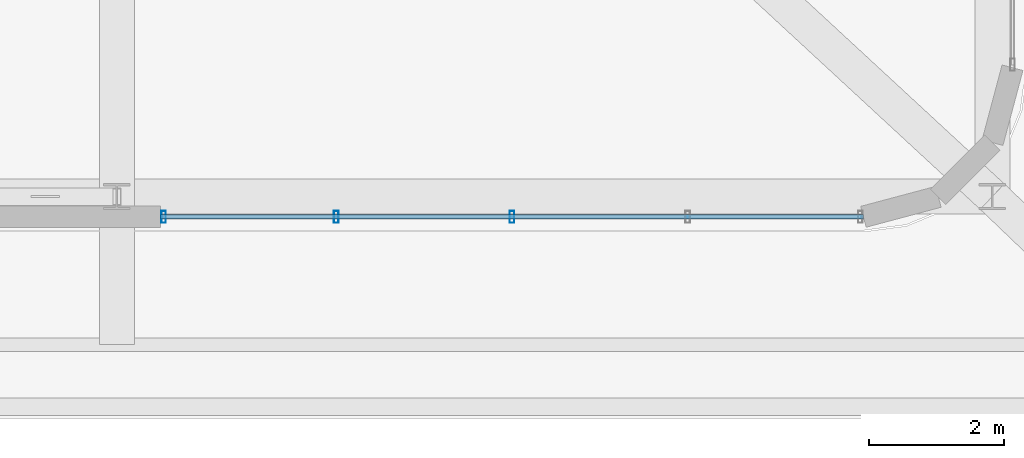
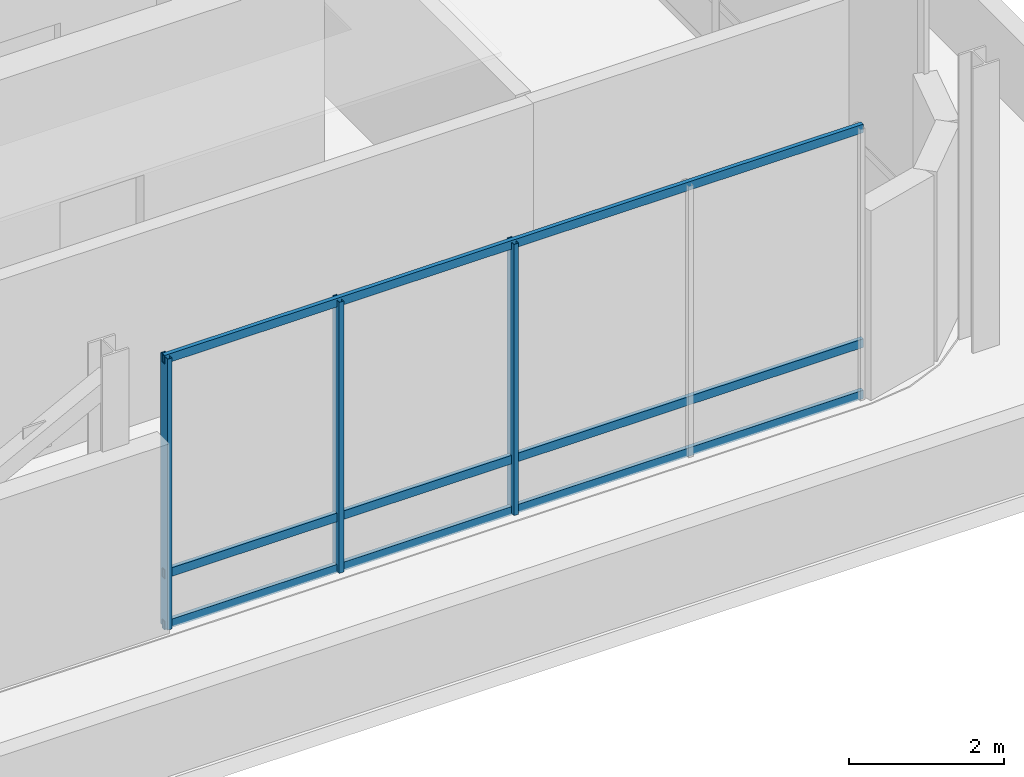
# One storey, part 5 of 28: 6 members, 1 element without a shape of its own.
"""IFC4 building model written with IfcOpenShell, lengths in metres."""

from ifc_helpers import new_model, si_unit, direction, frame, origin, origin_2d, place, context, subcontext, project, spatial, hollow_rectangle, extrude, material, material_profile, profile_set, type_object, element, aggregate, save


model = new_model("IFC4")

# Units and contexts
model_context = context("Model", 3, precision=1e-05, world=origin(), true_north=direction((0.0, 1.0)))
body_context = subcontext(model_context, "Body", "Model", "MODEL_VIEW")
ifc_project = project(units=[si_unit("LENGTHUNIT", "METRE"), si_unit("AREAUNIT", "SQUARE_METRE"), si_unit("VOLUMEUNIT", "CUBIC_METRE"), si_unit("PLANEANGLEUNIT", "RADIAN"), si_unit("MASSUNIT", "GRAM", prefix="KILO")], contexts=[model_context])

# Site, building, storey
site_placement = place(None, origin())
site = spatial("IfcSite", under=ifc_project, at=site_placement, CompositionType="ELEMENT")
building_placement = place(site_placement, origin())
building = spatial("IfcBuilding", under=site, at=building_placement, Name="Punatoya Terracotta Tower", CompositionType="ELEMENT")
storey_placement = place(building_placement, frame((0.0, 0.0, 352.800048828125)))
storey = spatial("IfcBuildingStorey", under=building, at=storey_placement, Name="L83", CompositionType="ELEMENT", Elevation=352.800048828125)

# Curtain wall, members
ifc_material_1 = material(Name="Aluminium 6063-T6 + Double Low-E Glass", Category="aluminium")
curtain_wall_type = type_object("IfcCurtainWallType", Name="CW-CRN", PredefinedType="NOTDEFINED", material=ifc_material_1)
curtain_wall_placement = place(storey_placement, origin())
curtain_wall = element("IfcCurtainWall", 1, at=curtain_wall_placement, inside=storey, type_object=curtain_wall_type, Name="L83 Curtain Wall CW-L83-S01-2", PredefinedType="NOTDEFINED")
ifc_material_2 = material(Name="Aluminium 6063-T6", Category="aluminium")
ifc_material_profile_1 = material_profile(ifc_material_2, hollow_rectangle(XDim=0.070068359375, YDim=0.179931640625, WallThickness=0.00390625, at=origin_2d()))
ifc_profile_set_1 = profile_set([ifc_material_profile_1], Name="Aluminium 6063-T6")
member_type_1 = type_object("IfcMemberType", Name="CW-MUL-M3", PredefinedType="MULLION", material=ifc_profile_set_1)
member_1_placement = place(storey_placement, frame((4.4951171875, -15.60009765625, 0.0), z_axis=(0.0, 0.0, 1.0), x_axis=(1.0, 0.0, 0.0)))
member_1 = element("IfcMember", 2, at=member_1_placement, type_object=member_type_1, Name="CW-L83-S01-2 Mullion 00", PredefinedType="MULLION", context=body_context, shape_type="SweptSolid", body=[
    extrude(hollow_rectangle(XDim=0.070068359375, YDim=0.179931640625, WallThickness=0.00390625, at=origin_2d()), origin(), (0.0, 0.0, 1.0), 4.280029296875),
])
member_2_placement = place(storey_placement, frame((7.05908203125, -15.60009765625, 0.0), z_axis=(0.0, 0.0, 1.0), x_axis=(1.0, 0.0, 0.0)))
member_2 = element("IfcMember", 3, at=member_2_placement, type_object=member_type_1, Name="CW-L83-S01-2 Mullion 01", PredefinedType="MULLION", context=body_context, shape_type="SweptSolid", body=[
    extrude(hollow_rectangle(XDim=0.070068359375, YDim=0.179931640625, WallThickness=0.00390625, at=origin_2d()), origin(), (0.0, 0.0, 1.0), 4.280029296875),
])
member_3_placement = place(storey_placement, frame((9.66845703125, -15.60009765625, 0.0), z_axis=(0.0, 0.0, 1.0), x_axis=(1.0, 0.0, 0.0)))
member_3 = element("IfcMember", 4, at=member_3_placement, type_object=member_type_1, Name="CW-L83-S01-2 Mullion 02", PredefinedType="MULLION", context=body_context, shape_type="SweptSolid", body=[
    extrude(hollow_rectangle(XDim=0.070068359375, YDim=0.179931640625, WallThickness=0.00390625, at=origin_2d()), origin(), (0.0, 0.0, 1.0), 4.280029296875),
])
ifc_material_profile_2 = material_profile(ifc_material_2, hollow_rectangle(XDim=0.06201171875, YDim=0.135009765625, WallThickness=0.00390625, at=origin_2d()))
ifc_profile_set_2 = profile_set([ifc_material_profile_2], Name="Aluminium 6063-T6")
member_type_2 = type_object("IfcMemberType", Name="CW-TRN-CRN", PredefinedType="USERDEFINED", material=ifc_profile_set_2)
member_4_placement = place(storey_placement, frame((4.449951171875, -15.60009765625, 0.0400390625), z_axis=(1.0, 0.0, 0.0), x_axis=(0.0, 1.0, 0.0)))
member_4 = element("IfcMember", 5, at=member_4_placement, type_object=member_type_2, Name="CW-L83-S01-2 Transom 1", ObjectType="TRANSOM", PredefinedType="USERDEFINED", context=body_context, shape_type="SweptSolid", body=[
    extrude(hollow_rectangle(XDim=0.06201171875, YDim=0.135009765625, WallThickness=0.00390625, at=origin_2d()), origin(), (0.0, 0.0, 1.0), 10.43701171875),
])
member_5_placement = place(storey_placement, frame((4.449951171875, -15.60009765625, 0.849853515625), z_axis=(1.0, 0.0, 0.0), x_axis=(0.0, 1.0, 0.0)))
member_5 = element("IfcMember", 6, at=member_5_placement, type_object=member_type_2, Name="CW-L83-S01-2 Transom 2", ObjectType="TRANSOM", PredefinedType="USERDEFINED", context=body_context, shape_type="SweptSolid", body=[
    extrude(hollow_rectangle(XDim=0.06201171875, YDim=0.135009765625, WallThickness=0.00390625, at=origin_2d()), origin(), (0.0, 0.0, 1.0), 10.43701171875),
])
member_6_placement = place(storey_placement, frame((4.449951171875, -15.60009765625, 4.239990234375), z_axis=(1.0, 0.0, 0.0), x_axis=(0.0, 1.0, 0.0)))
member_6 = element("IfcMember", 7, at=member_6_placement, type_object=member_type_2, Name="CW-L83-S01-2 Transom 3", ObjectType="TRANSOM", PredefinedType="USERDEFINED", context=body_context, shape_type="SweptSolid", body=[
    extrude(hollow_rectangle(XDim=0.06201171875, YDim=0.135009765625, WallThickness=0.00390625, at=origin_2d()), origin(), (0.0, 0.0, 1.0), 10.43701171875),
])
aggregate(curtain_wall, [member_1, member_2, member_3, member_4, member_5, member_6])

save(model, "model.ifc")
